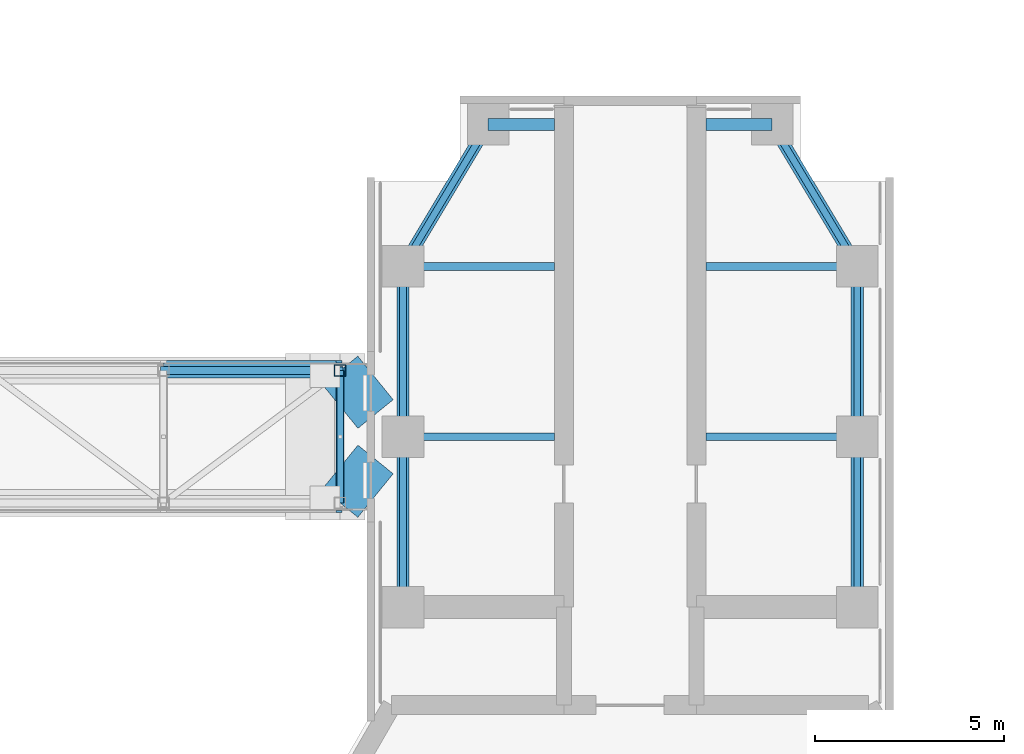
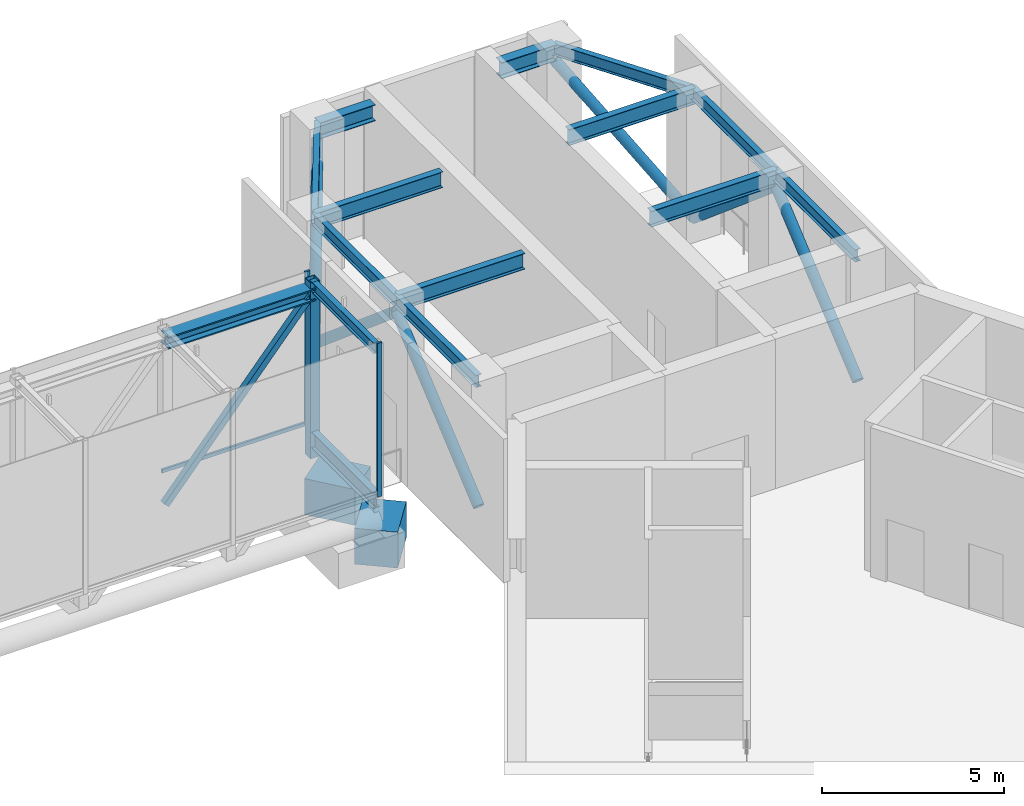
# One storey, part 5 of 15: 16 beams, 12 members, 2 elements without a shape of their own.
"""IFC4 building model written with IfcOpenShell, lengths in metres."""

from ifc_helpers import new_model, si_unit, direction, frame, origin, origin_2d, place, context, subcontext, project, spatial, rectangle, hollow_rectangle, hollow_circle, i_section, extrude, material, material_profile, profile_set, type_object, element, aggregate, save


model = new_model("IFC4")

# Units and contexts
model_context = context("Model", 3, precision=1e-05, world=origin(), true_north=direction((0.0, 1.0)))
body_context = subcontext(model_context, "Body", "Model", "MODEL_VIEW")
ifc_project = project(units=[si_unit("LENGTHUNIT", "METRE"), si_unit("AREAUNIT", "SQUARE_METRE"), si_unit("VOLUMEUNIT", "CUBIC_METRE"), si_unit("PLANEANGLEUNIT", "RADIAN"), si_unit("MASSUNIT", "GRAM", prefix="KILO")], contexts=[model_context])

# Site, building, storey
site_placement = place(None, origin())
site = spatial("IfcSite", under=ifc_project, at=site_placement, CompositionType="ELEMENT")
building_placement = place(site_placement, origin())
building = spatial("IfcBuilding", under=site, at=building_placement, Name="Upepo Twin Towers", CompositionType="ELEMENT")
storey_placement = place(building_placement, frame((0.0, 0.0, 238.5)))
storey = spatial("IfcBuildingStorey", under=building, at=storey_placement, Name="L58", CompositionType="ELEMENT", Elevation=238.5)

# Beams
ifc_material_1 = material(Name="Steel S355", Category="steel")
ifc_material_profile_1 = material_profile(ifc_material_1, i_section(OverallWidth=0.17138671875, OverallDepth=0.35498046875, WebThickness=0.00732421875, FlangeThickness=0.011474609375, FilletRadius=0.01025390625, at=origin_2d()), Name="UB 356x171x51")
ifc_profile_set_1 = profile_set([ifc_material_profile_1], Name="Steel S355")
beam_type_1 = type_object("IfcBeamType", Name="Beam UB 356x171x51", PredefinedType="BEAM", material=ifc_profile_set_1)
beam_1_placement = place(storey_placement, frame((50.840087890625, -1.75, 4.62255859375), z_axis=(0.0, 1.0, 0.0), x_axis=(-1.0, 0.0, 0.0)))
element("IfcBeam", 1, at=beam_1_placement, inside=storey, type_object=beam_type_1, Name="BR3 roof beam 5", PredefinedType="BEAM", context=body_context, shape_type="SweptSolid", body=[
    extrude(i_section(OverallWidth=0.17138671875, OverallDepth=0.35498046875, WebThickness=0.00732421875, FlangeThickness=0.011474609375, FilletRadius=0.01025390625, at=origin_2d()), origin(), (0.0, 0.0, 1.0), 3.5),
])
ifc_material_2 = material(Name="Steel S355", Category="steel")
ifc_material_profile_2 = material_profile(ifc_material_2, i_section(OverallWidth=0.177978515625, OverallDepth=0.406494140625, WebThickness=0.0078125, FlangeThickness=0.0126953125, FilletRadius=0.01025390625, at=origin_2d()), Name="UB 406x178x60")
ifc_profile_set_2 = profile_set([ifc_material_profile_2], Name="Steel S355")
beam_type_2 = type_object("IfcBeamType", Name="Beam UB 406x178x60", PredefinedType="BEAM", material=ifc_profile_set_2)
for number, where, z_axis, x_axis, name in (
    (2, (52.5, -4.5, 4.5966796875), (0.0, 1.0, 0.0), (-1.0, 0.0, 0.0), "T2 edge beam AL 13.5-18.0"),
    (3, (52.5, 0.0, 4.5966796875), (0.0, 1.0, 0.0), (-1.0, 0.0, 0.0), "T2 edge beam AL 18.0-22.5"),
):
    element("IfcBeam", number, at=place(storey_placement, frame(where, z_axis=z_axis, x_axis=x_axis)), inside=storey, type_object=beam_type_2, Name=name, PredefinedType="BEAM", context=body_context, shape_type="SweptSolid", body=[
        extrude(i_section(OverallWidth=0.177978515625, OverallDepth=0.406494140625, WebThickness=0.0078125, FlangeThickness=0.0126953125, FilletRadius=0.01025390625, at=origin_2d()), origin(), (0.0, 0.0, 1.0), 4.5),
    ])
beam_2_placement = place(storey_placement, frame((52.5, 4.5, 4.5966796875), z_axis=(0.514495755428, 0.857492925713, 0.0), x_axis=(-0.857492925713, 0.514495755428, 0.0)))
element("IfcBeam", 4, at=beam_2_placement, inside=storey, type_object=beam_type_2, Name="T2 nose edge beam AL", PredefinedType="BEAM", context=body_context, shape_type="SweptSolid", body=[
    extrude(i_section(OverallWidth=0.177978515625, OverallDepth=0.406494140625, WebThickness=0.0078125, FlangeThickness=0.0126953125, FilletRadius=0.01025390625, at=origin_2d()), origin(), (0.0, 0.0, 1.0), 4.373291015625),
])
for number, where, z_axis, x_axis, name in (
    (5, (64.5, -4.5, 4.5966796875), (0.0, 1.0, 0.0), (-1.0, 0.0, 0.0), "T2 edge beam AR 13.5-18.0"),
    (6, (64.5, 0.0, 4.5966796875), (0.0, 1.0, 0.0), (-1.0, 0.0, 0.0), "T2 edge beam AR 18.0-22.5"),
):
    element("IfcBeam", number, at=place(storey_placement, frame(where, z_axis=z_axis, x_axis=x_axis)), inside=storey, type_object=beam_type_2, Name=name, PredefinedType="BEAM", context=body_context, shape_type="SweptSolid", body=[
        extrude(i_section(OverallWidth=0.177978515625, OverallDepth=0.406494140625, WebThickness=0.0078125, FlangeThickness=0.0126953125, FilletRadius=0.01025390625, at=origin_2d()), origin(), (0.0, 0.0, 1.0), 4.5),
    ])
beam_3_placement = place(storey_placement, frame((64.5, 4.5, 4.5966796875), z_axis=(-0.514495755428, 0.857492925713, 0.0), x_axis=(-0.857492925713, -0.514495755428, 0.0)))
element("IfcBeam", 7, at=beam_3_placement, inside=storey, type_object=beam_type_2, Name="T2 nose edge beam AR", PredefinedType="BEAM", context=body_context, shape_type="SweptSolid", body=[
    extrude(i_section(OverallWidth=0.177978515625, OverallDepth=0.406494140625, WebThickness=0.0078125, FlangeThickness=0.0126953125, FilletRadius=0.01025390625, at=origin_2d()), origin(), (0.0, 0.0, 1.0), 4.373291015625),
])
ifc_material_3 = material(Name="Steel S355", Category="steel")
ifc_material_profile_3 = material_profile(ifc_material_3, i_section(OverallWidth=0.209228515625, OverallDepth=0.533203125, WebThickness=0.010009765625, FlangeThickness=0.015625, FilletRadius=0.0126953125, at=origin_2d()), Name="UB 533x210x92")
ifc_profile_set_3 = profile_set([ifc_material_profile_3], Name="Steel S355")
beam_type_3 = type_object("IfcBeamType", Name="Beam UB 533x210x92", PredefinedType="BEAM", material=ifc_profile_set_3)
for number, where, z_axis, x_axis, name in (
    (8, (52.5, 0.0, 4.533447265625), (1.0, 0.0, 0.0), (0.0, 1.0, 0.0), "T2 girder AL at 18.0"),
    (9, (52.5, 4.5, 4.533447265625), (1.0, 0.0, 0.0), (0.0, 1.0, 0.0), "T2 girder AL at 22.5"),
    (10, (64.5, 0.0, 4.533447265625), (-1.0, 0.0, 0.0), (0.0, -1.0, 0.0), "T2 girder AR at 18.0"),
    (11, (64.5, 4.5, 4.533447265625), (-1.0, 0.0, 0.0), (0.0, -1.0, 0.0), "T2 girder AR at 22.5"),
):
    element("IfcBeam", number, at=place(storey_placement, frame(where, z_axis=z_axis, x_axis=x_axis)), inside=storey, type_object=beam_type_3, Name=name, PredefinedType="BEAM", context=body_context, shape_type="SweptSolid", body=[
        extrude(i_section(OverallWidth=0.209228515625, OverallDepth=0.533203125, WebThickness=0.010009765625, FlangeThickness=0.015625, FilletRadius=0.0126953125, at=origin_2d()), origin(), (0.0, 0.0, 1.0), 4.0),
    ])
beam_4_placement = place(storey_placement, frame((50.840087890625, -1.75, -0.466552734375), z_axis=(0.0, 1.0, 0.0), x_axis=(-1.0, 0.0, 0.0)))
element("IfcBeam", 12, at=beam_4_placement, inside=storey, type_object=beam_type_3, Name="BR3 floor beam 5", PredefinedType="BEAM", context=body_context, shape_type="SweptSolid", body=[
    extrude(i_section(OverallWidth=0.209228515625, OverallDepth=0.533203125, WebThickness=0.010009765625, FlangeThickness=0.015625, FilletRadius=0.0126953125, at=origin_2d()), origin(), (0.0, 0.0, 1.0), 3.5),
])
ifc_material_4 = material(Name="Steel S355", Category="steel")
ifc_material_profile_4 = material_profile(ifc_material_4, i_section(OverallWidth=0.31201171875, OverallDepth=0.54345703125, WebThickness=0.0126953125, FlangeThickness=0.020263671875, FilletRadius=0.0126953125, at=origin_2d()), Name="UB 533x312x150")
ifc_profile_set_4 = profile_set([ifc_material_profile_4], Name="Steel S355")
beam_type_4 = type_object("IfcBeamType", Name="Beam UB 533x312x150", PredefinedType="BEAM", material=ifc_profile_set_4)
for number, where, z_axis, x_axis, name in (
    (13, (54.75, 8.25, 4.5283203125), (1.0, 0.0, 0.0), (0.0, 1.0, 0.0), "T2 nose beam AL"),
    (14, (62.25, 8.25, 4.5283203125), (-1.0, 0.0, 0.0), (0.0, -1.0, 0.0), "T2 nose beam AR"),
):
    element("IfcBeam", number, at=place(storey_placement, frame(where, z_axis=z_axis, x_axis=x_axis)), inside=storey, type_object=beam_type_4, Name=name, PredefinedType="BEAM", context=body_context, shape_type="SweptSolid", body=[
        extrude(i_section(OverallWidth=0.31201171875, OverallDepth=0.54345703125, WebThickness=0.0126953125, FlangeThickness=0.020263671875, FilletRadius=0.0126953125, at=origin_2d()), origin(), (0.0, 0.0, 1.0), 1.75),
    ])

# Members
ifc_material_5 = material(Name="Steel S355", Category="steel")
ifc_material_profile_5 = material_profile(ifc_material_5, hollow_circle(Radius=0.161865234375, WallThickness=0.01611328125, at=origin_2d()), Name="CHS 323.9x16.0")
ifc_profile_set_5 = profile_set([ifc_material_profile_5], Name="Steel S355")
member_type_1 = type_object("IfcMemberType", Name="Belt truss diagonal CHS 323.9x16.0", PredefinedType="BRACE", material=ifc_profile_set_5)
for number, where, z_axis, x_axis, name in (
    (15, (52.5, -4.5, 0.39990234375), (0.0, 0.764025829276, 0.645185657155), (-1.0, 0.0, 0.0), "T2 belt truss diagonal AL1"),
    (16, (52.5, 4.5, 0.39990234375), (0.0, -0.764025829276, 0.645185657155), (1.0, 0.0, 0.0), "T2 belt truss diagonal AL2"),
):
    element("IfcMember", number, at=place(storey_placement, frame(where, z_axis=z_axis, x_axis=x_axis)), inside=storey, type_object=member_type_1, Name=name, PredefinedType="BRACE", context=body_context, shape_type="SweptSolid", body=[
        extrude(hollow_circle(Radius=0.161865234375, WallThickness=0.01611328125, at=origin_2d()), origin(), (0.0, 0.0, 1.0), 5.889892578125),
    ])
member_1_placement = place(storey_placement, frame((52.5, 4.5, 0.39990234375), z_axis=(0.388362055987, 0.647270093312, 0.655908789218), x_axis=(-0.857492925713, 0.514495755428, 0.0)))
element("IfcMember", 17, at=member_1_placement, inside=storey, type_object=member_type_1, Name="T2 belt truss nose diagonal AL", PredefinedType="BRACE", context=body_context, shape_type="SweptSolid", body=[
    extrude(hollow_circle(Radius=0.161865234375, WallThickness=0.01611328125, at=origin_2d()), origin(), (0.0, 0.0, 1.0), 5.79345703125),
])
for number, where, z_axis, x_axis, name in (
    (18, (64.5, -4.5, 0.39990234375), (0.0, 0.764025829276, 0.645185657155), (-1.0, 0.0, 0.0), "T2 belt truss diagonal AR1"),
    (19, (64.5, 4.5, 0.39990234375), (0.0, -0.764025829276, 0.645185657155), (1.0, 0.0, 0.0), "T2 belt truss diagonal AR2"),
):
    element("IfcMember", number, at=place(storey_placement, frame(where, z_axis=z_axis, x_axis=x_axis)), inside=storey, type_object=member_type_1, Name=name, PredefinedType="BRACE", context=body_context, shape_type="SweptSolid", body=[
        extrude(hollow_circle(Radius=0.161865234375, WallThickness=0.01611328125, at=origin_2d()), origin(), (0.0, 0.0, 1.0), 5.889892578125),
    ])
member_2_placement = place(storey_placement, frame((64.5, 4.5, 0.39990234375), z_axis=(-0.388362055987, 0.647270093312, 0.655908789218), x_axis=(-0.857492925713, -0.514495755428, 0.0)))
element("IfcMember", 20, at=member_2_placement, inside=storey, type_object=member_type_1, Name="T2 belt truss nose diagonal AR", PredefinedType="BRACE", context=body_context, shape_type="SweptSolid", body=[
    extrude(hollow_circle(Radius=0.161865234375, WallThickness=0.01611328125, at=origin_2d()), origin(), (0.0, 0.0, 1.0), 5.79345703125),
])

# Beams
ifc_material_6 = material(Name="Concrete C60/75", Category="concrete")
ifc_material_profile_6 = material_profile(ifc_material_6, rectangle(XDim=1.199951171875, YDim=1.199951171875, at=origin_2d()), Name="RC 1200x1200")
ifc_profile_set_6 = profile_set([ifc_material_profile_6], Name="Concrete C60/75")
beam_type_5 = type_object("IfcBeamType", Name="Bridge bearing corbel RC 1200x1200", PredefinedType="BEAM", material=ifc_profile_set_6)
for number, where, z_axis, x_axis, name in (
    (21, (51.77490234375, -0.60009765625, -2.089111328125), (-0.630803473703, -0.775942638063, 0.0), (0.775942638063, -0.630803473703, 0.0), "BR3 bearing bracket at T2 1"),
    (22, (51.77490234375, 0.60009765625, -2.089111328125), (-0.630803473703, 0.775942638063, 0.0), (-0.775942638063, -0.630803473703, 0.0), "BR3 bearing bracket at T2 2"),
):
    element("IfcBeam", number, at=place(storey_placement, frame(where, z_axis=z_axis, x_axis=x_axis)), inside=storey, type_object=beam_type_5, Name=name, PredefinedType="BEAM", context=body_context, shape_type="SweptSolid", body=[
        extrude(rectangle(XDim=1.199951171875, YDim=1.199951171875, at=origin_2d()), origin(), (0.0, 0.0, 1.0), 1.48193359375),
    ])

# Members
ifc_material_7 = material(Name="Steel S355", Category="steel")
ifc_material_profile_7 = material_profile(ifc_material_7, i_section(OverallWidth=0.403076171875, OverallDepth=0.406494140625, WebThickness=0.026611328125, FlangeThickness=0.04296875, FilletRadius=0.01513671875, at=origin_2d()), Name="UC 356x406x340")
ifc_profile_set_7 = profile_set([ifc_material_profile_7], Name="Steel S355")
member_type_2 = type_object("IfcMemberType", Name="Bridge chord UC 356x406x340", PredefinedType="CHORD", material=ifc_profile_set_7)
member_3_placement = place(storey_placement, frame((46.172119140625, 1.75, 4.39990234375), z_axis=(1.0, 0.0, 0.0), x_axis=(0.0, 1.0, 0.0)))
element("IfcMember", 23, at=member_3_placement, inside=storey, type_object=member_type_2, Name="BR3 top chord N5", PredefinedType="CHORD", context=body_context, shape_type="SweptSolid", body=[
    extrude(i_section(OverallWidth=0.403076171875, OverallDepth=0.406494140625, WebThickness=0.026611328125, FlangeThickness=0.04296875, FilletRadius=0.01513671875, at=origin_2d()), origin(), (0.0, 0.0, 1.0), 4.66796875),
])
ifc_material_8 = material(Name="Steel S355", Category="steel")
ifc_material_profile_8 = material_profile(ifc_material_8, hollow_rectangle(XDim=0.199951171875, YDim=0.199951171875, WallThickness=0.010009765625, at=origin_2d()), Name="SHS 200x200x10.0")
ifc_profile_set_8 = profile_set([ifc_material_profile_8], Name="Steel S355")
member_type_3 = type_object("IfcMemberType", Name="Bridge diagonal SHS 200x200x10.0", PredefinedType="BRACE", material=ifc_profile_set_8)
member_4_placement = place(storey_placement, frame((46.172119140625, 1.75, -1.088623046875), z_axis=(0.647867731372, 0.0, 0.761752848795), x_axis=(0.0, 1.0, 0.0)))
element("IfcMember", 24, at=member_4_placement, inside=storey, type_object=member_type_3, Name="BR3 diagonal N5", PredefinedType="BRACE", context=body_context, shape_type="SweptSolid", body=[
    extrude(hollow_rectangle(XDim=0.199951171875, YDim=0.199951171875, WallThickness=0.010009765625, at=origin_2d()), origin(), (0.0, 0.0, 1.0), 7.205078125),
])
ifc_material_9 = material(Name="Steel S355", Category="steel")
ifc_material_profile_9 = material_profile(ifc_material_9, hollow_rectangle(XDim=0.300048828125, YDim=0.300048828125, WallThickness=0.012451171875, at=origin_2d()), Name="SHS 300x300x12.5")
ifc_profile_set_9 = profile_set([ifc_material_profile_9], Name="Steel S355")
member_type_4 = type_object("IfcMemberType", Name="Bridge post SHS 300x300x12.5", PredefinedType="POST", material=ifc_profile_set_9)
member_5_placement = place(storey_placement, frame((50.840087890625, 1.75, -1.088623046875), z_axis=(0.0, 0.0, 1.0), x_axis=(1.0, 0.0, 0.0)))
element("IfcMember", 25, at=member_5_placement, inside=storey, type_object=member_type_4, Name="BR3 end post N5", PredefinedType="POST", context=body_context, shape_type="SweptSolid", body=[
    extrude(hollow_rectangle(XDim=0.300048828125, YDim=0.300048828125, WallThickness=0.012451171875, at=origin_2d()), origin(), (0.0, 0.0, 1.0), 5.888671875),
])

# Curtain wall, member
ifc_material_10 = material(Name="Aluminium and clear glass", Category="aluminium")
curtain_wall_type = type_object("IfcCurtainWallType", Name="Bridge curtain wall BW1", PredefinedType="NOTDEFINED", material=ifc_material_10)
curtain_wall_1_placement = place(storey_placement, origin())
curtain_wall_1 = element("IfcCurtainWall", 26, at=curtain_wall_1_placement, inside=storey, type_object=curtain_wall_type, Name="BR3 curtain wall N", PredefinedType="NOTDEFINED")
ifc_material_11 = material(Name="Aluminium mullion", Category="aluminium")
ifc_material_profile_10 = material_profile(ifc_material_11, rectangle(XDim=0.06494140625, YDim=0.14990234375, at=origin_2d()), Name="MULLION 65x150 BRIDGE")
ifc_profile_set_10 = profile_set([ifc_material_profile_10], Name="Aluminium mullion")
member_type_5 = type_object("IfcMemberType", Name="Mullion 65x150 BW1", PredefinedType="MULLION", material=ifc_profile_set_10)
member_6_placement = place(storey_placement, frame((50.8076171875, 1.97509765625, -0.199951171875), z_axis=(0.0, 0.0, 1.0), x_axis=(0.0, -1.0, 0.0)))
member_6 = element("IfcMember", 27, at=member_6_placement, type_object=member_type_5, Name="BR3 curtain wall N mullion 1", PredefinedType="MULLION", context=body_context, shape_type="SweptSolid", body=[
    extrude(rectangle(XDim=0.06494140625, YDim=0.14990234375, at=origin_2d()), origin(), (0.0, 0.0, 1.0), 5.14990234375),
])

curtain_wall_2_placement = place(storey_placement, origin())
curtain_wall_2 = element("IfcCurtainWall", 28, at=curtain_wall_2_placement, inside=storey, type_object=curtain_wall_type, Name="BR3 curtain wall S", PredefinedType="NOTDEFINED")
member_7_placement = place(storey_placement, frame((50.8076171875, -1.97509765625, -0.199951171875), z_axis=(0.0, 0.0, 1.0), x_axis=(0.0, 1.0, 0.0)))
member_7 = element("IfcMember", 29, at=member_7_placement, type_object=member_type_5, Name="BR3 curtain wall S mullion 6", PredefinedType="MULLION", context=body_context, shape_type="SweptSolid", body=[
    extrude(rectangle(XDim=0.06494140625, YDim=0.14990234375, at=origin_2d()), origin(), (0.0, 0.0, 1.0), 5.14990234375),
])
aggregate(curtain_wall_2, [member_7])

# Member
ifc_material_12 = material(Name="Aluminium transom", Category="aluminium")
ifc_material_profile_11 = material_profile(ifc_material_12, rectangle(XDim=0.06494140625, YDim=0.1201171875, at=origin_2d()), Name="TRANSOM 65x120 BRIDGE")
ifc_profile_set_11 = profile_set([ifc_material_profile_11], Name="Aluminium transom")
member_type_6 = type_object("IfcMemberType", Name="Transom 65x120 BW1", PredefinedType="USERDEFINED", material=ifc_profile_set_11)
member_8_placement = place(storey_placement, frame((50.77490234375, 1.97509765625, -0.139892578125), z_axis=(-1.0, 0.0, 0.0), x_axis=(0.0, -1.0, 0.0)))
member_8 = element("IfcMember", 30, at=member_8_placement, type_object=member_type_6, Name="BR3 curtain wall N transom 1", ObjectType="TRANSOM", PredefinedType="USERDEFINED", context=body_context, shape_type="SweptSolid", body=[
    extrude(rectangle(XDim=0.06494140625, YDim=0.1201171875, at=origin_2d()), origin(), (0.0, 0.0, 1.0), 4.5703125),
])

aggregate(curtain_wall_1, [member_6, member_8])

save(model, "model.ifc")
